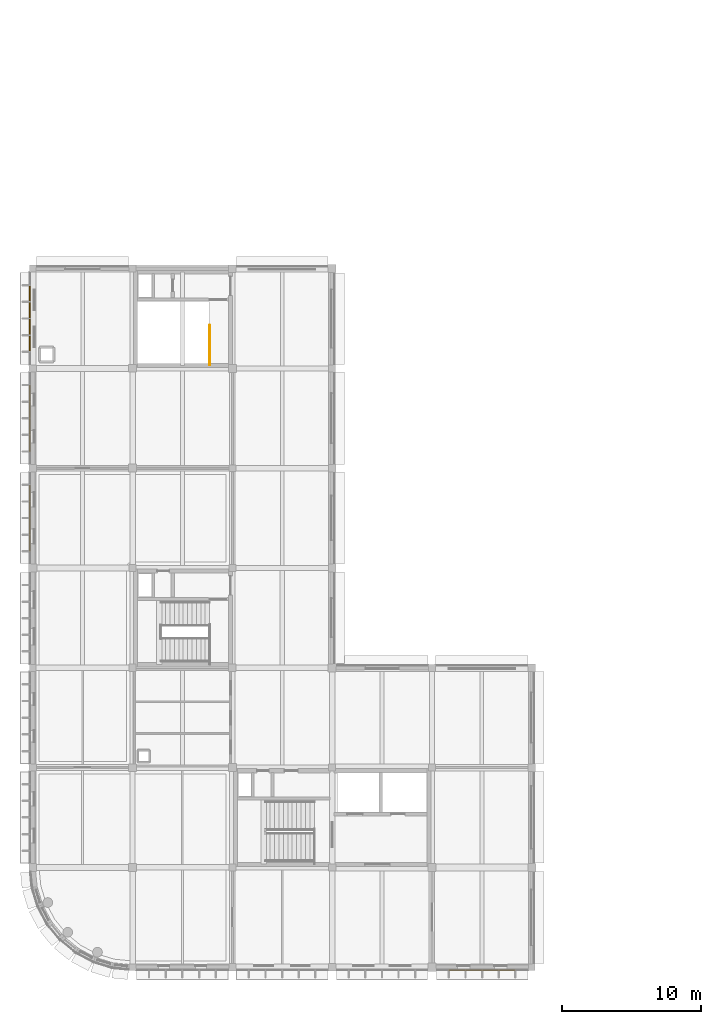
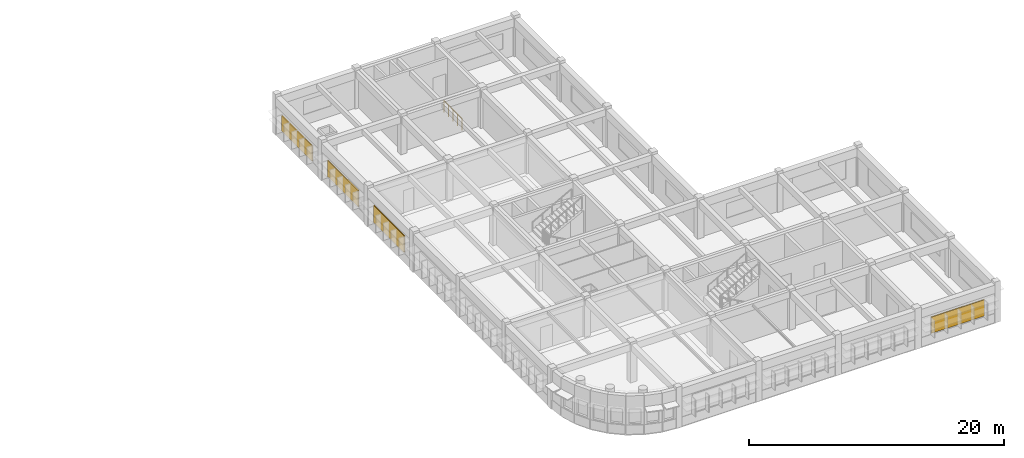
# One storey, part 19 of 19: 4 shading devices, 1 railing.
"""IFC4 building model written with IfcOpenShell, lengths in metres."""

from ifc_helpers import new_model, si_unit, direction, frame, origin, origin_2d, place, context, subcontext, project, spatial, rectangle, circle, extrude, material, layer, layer_set, type_object, element, save


model = new_model("IFC4")

# Units and contexts
model_context = context("Model", 3, precision=1e-05, world=origin(), true_north=direction((0.0, 1.0)))
body_context = subcontext(model_context, "Body", "Model", "MODEL_VIEW")
ifc_project = project(units=[si_unit("LENGTHUNIT", "METRE"), si_unit("AREAUNIT", "SQUARE_METRE"), si_unit("VOLUMEUNIT", "CUBIC_METRE"), si_unit("PLANEANGLEUNIT", "RADIAN"), si_unit("MASSUNIT", "GRAM", prefix="KILO")], contexts=[model_context])

# Site, building, storey
site_placement = place(None, origin())
site = spatial("IfcSite", under=ifc_project, at=site_placement, CompositionType="ELEMENT")
building_placement = place(site_placement, origin())
building = spatial("IfcBuilding", under=site, at=building_placement, Name="Thalmaran Polytechnic", CompositionType="ELEMENT")
storey_placement = place(building_placement, frame((0.0, 0.0, 26.699951171875)))
storey = spatial("IfcBuildingStorey", under=building, at=storey_placement, Name="L06", CompositionType="ELEMENT", Elevation=26.699951171875)

# Railing
ifc_material_1 = material(Name="Stainless steel 316", Category="steel")
railing_type = type_object("IfcRailingType", Name="RL-GR01", PredefinedType="GUARDRAIL", material=ifc_material_1)
railing_placement = place(storey_placement, frame((12.77001953125, 43.449951171875, 0.0)))
element("IfcRailing", 1, at=railing_placement, inside=storey, type_object=railing_type, Name="ST4 L06 Landing Edge Guardrail", PredefinedType="GUARDRAIL", context=body_context, shape_type="SweptSolid", body=[
    extrude(circle(Radius=0.02392578125, at=origin_2d()), frame((0.0, 0.0, 1.1259765625), z_axis=(0.0, 1.0, 0.0), x_axis=(-1.0, 0.0, 0.0)), (0.0, 0.0, 1.0), 2.8701171875),
    extrude(circle(Radius=0.02099609375, at=origin_2d()), origin(), (0.0, 0.0, 1.0), 1.101806640625),
    extrude(circle(Radius=0.02099609375, at=origin_2d()), frame((0.0, 0.717529296875, 0.0)), (0.0, 0.0, 1.0), 1.101806640625),
    extrude(circle(Radius=0.02099609375, at=origin_2d()), frame((0.0, 1.43505859375, 0.0)), (0.0, 0.0, 1.0), 1.101806640625),
    extrude(circle(Radius=0.02099609375, at=origin_2d()), frame((0.0, 2.152587890625, 0.0)), (0.0, 0.0, 1.0), 1.101806640625),
    extrude(circle(Radius=0.02099609375, at=origin_2d()), frame((0.0, 2.8701171875, 0.0)), (0.0, 0.0, 1.0), 1.101806640625),
])

# Shading devices
ifc_material_2 = material(Name="Perforated anodised-bronze aluminium screen", Category="aluminium")
ifc_layer = layer(ifc_material_2, 0.080078125, Name="Perforated anodised-bronze aluminium screen")
ifc_layer_set = layer_set([ifc_layer], Name="Perforated anodised-bronze aluminium screen")
shading_device_type = type_object("IfcShadingDeviceType", Name="SH-JL01", PredefinedType="JALOUSIE", material=ifc_layer_set)
shading_device_1_placement = place(storey_placement, frame((-0.219970703125, 32.39990234375, 1.02490234375), z_axis=(0.0, 0.0, 1.0), x_axis=(0.0, 1.0, 0.0)))
element("IfcShadingDevice", 2, at=shading_device_1_placement, inside=storey, type_object=shading_device_type, Name="Anodised-Bronze Mashrabiya Solar Screen L06-008", PredefinedType="JALOUSIE", context=body_context, shape_type="SweptSolid", body=[
    extrude(rectangle(XDim=4.777099609375, YDim=0.080078125, at=origin_2d()), origin(), (0.0, 0.0, 1.0), 1.60009765625),
])
shading_device_2_placement = place(storey_placement, frame((-0.219970703125, 39.60009765625, 1.02490234375), z_axis=(0.0, 0.0, 1.0), x_axis=(0.0, 1.0, 0.0)))
element("IfcShadingDevice", 3, at=shading_device_2_placement, inside=storey, type_object=shading_device_type, Name="Anodised-Bronze Mashrabiya Solar Screen L06-009", PredefinedType="JALOUSIE", context=body_context, shape_type="SweptSolid", body=[
    extrude(rectangle(XDim=4.798828125, YDim=0.080078125, at=origin_2d()), origin(), (0.0, 0.0, 1.0), 1.550048828125),
])
shading_device_3_placement = place(storey_placement, frame((-0.219970703125, 46.800048828125, 1.02490234375), z_axis=(0.0, 0.0, 1.0), x_axis=(0.0, 1.0, 0.0)))
element("IfcShadingDevice", 4, at=shading_device_3_placement, inside=storey, type_object=shading_device_type, Name="Anodised-Bronze Mashrabiya Solar Screen L06-010", PredefinedType="JALOUSIE", context=body_context, shape_type="SweptSolid", body=[
    extrude(rectangle(XDim=4.81689453125, YDim=0.080078125, at=origin_2d()), origin(), (0.0, 0.0, 1.0), 1.449951171875),
])
shading_device_4_placement = place(storey_placement, frame((32.39990234375, -0.219970703125, 1.02490234375), z_axis=(0.0, 0.0, 1.0), x_axis=(-1.0, 0.0, 0.0)))
element("IfcShadingDevice", 5, at=shading_device_4_placement, inside=storey, type_object=shading_device_type, Name="Anodised-Bronze Mashrabiya Solar Screen L06-023", PredefinedType="JALOUSIE", context=body_context, shape_type="SweptSolid", body=[
    extrude(rectangle(XDim=4.795166015625, YDim=0.080078125, at=origin_2d()), origin(), (0.0, 0.0, 1.0), 1.550048828125),
])

save(model, "model.ifc")
